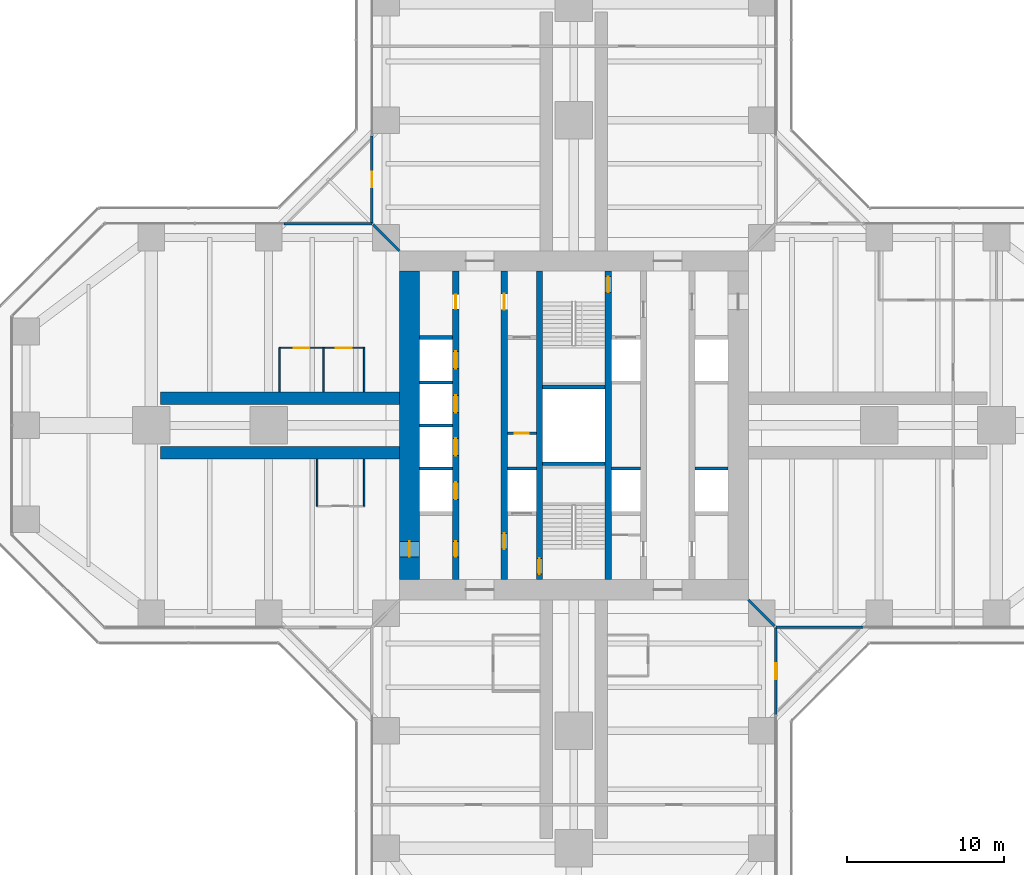
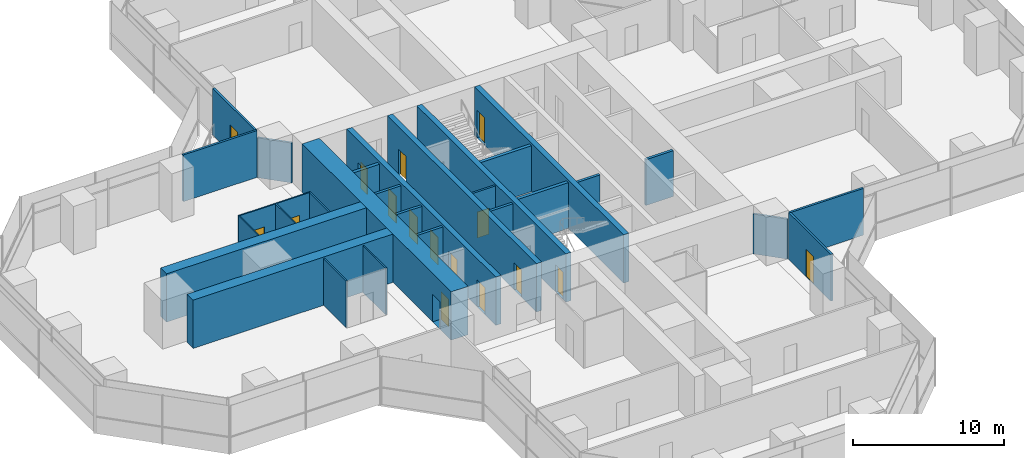
# One storey, part 18 of 22: 30 walls, 16 doors, 16 openings.
"""IFC4 building model written with IfcOpenShell, lengths in metres."""

import ifcopenshell
import ifcopenshell.guid

model = None  # the IFC model being written
_history = None  # IfcOwnerHistory: only IFC2X3 demands one
_inside = {}  # id of a spatial element -> (the spatial element, [elements in it])
_under = {}  # id of a project, library or spatial element -> (it, [spatial elements below it])
_declared = {}  # id of a project -> (the project, [libraries it declares])
_typed = {}  # id of a type object -> (the type object, [elements of that type])
_made_of = {}  # id of a material, layer set ... -> (it, [elements and type objects made of it])


def new_model(schema):
    """Start an empty IFC model of exactly this schema.

    Asked for "IFC4X3", IfcOpenShell would pick the latest addendum, in which some entities
    have other attributes; the version numbers below select the first issue.
    IFC2X3 requires an IfcOwnerHistory on every rooted entity: one is made here for all.
    """
    global model, _history
    if schema == "IFC4X3":
        model = ifcopenshell.file(schema_version=(4, 3, 0, 0))
    else:
        model = ifcopenshell.file(schema=schema)
    _inside.clear()
    _under.clear()
    _declared.clear()
    _typed.clear()
    _made_of.clear()
    _history = None
    if model.schema == "IFC2X3":
        org = make("IfcOrganization", Name="unknown")
        user = make(
            "IfcPersonAndOrganization",
            ThePerson=make("IfcPerson", FamilyName="unknown"),
            TheOrganization=org,
        )
        app = make(
            "IfcApplication",
            ApplicationDeveloper=org,
            Version="unknown",
            ApplicationFullName="unknown",
            ApplicationIdentifier="unknown",
        )
        _history = make(
            "IfcOwnerHistory",
            OwningUser=user,
            OwningApplication=app,
            ChangeAction="ADDED",
            CreationDate=0,
        )
    return model


def make(cls, **values):
    """One entity of the class cls with the attributes given. An attribute that is None is left unset."""
    return model.create_entity(
        cls, **{name: value for name, value in values.items() if value is not None}
    )


def rooted(cls, **values):
    """An entity with a GlobalId (a new one), such as an element, a storey or a relation."""
    return make(cls, GlobalId=ifcopenshell.guid.new(), OwnerHistory=_history, **values)


def si_unit(unit_type, name, prefix=None):
    """IfcSIUnit, for example si_unit("LENGTHUNIT", "METRE", prefix="MILLI")."""
    return make("IfcSIUnit", UnitType=unit_type, Prefix=prefix, Name=name)


def assignment(units):
    """IfcUnitAssignment: the units of a project."""
    return None if units is None else make("IfcUnitAssignment", Units=units)


def point(xyz):
    """IfcCartesianPoint."""
    return None if xyz is None else make("IfcCartesianPoint", Coordinates=xyz)


def direction(xyz):
    """IfcDirection."""
    return None if xyz is None else make("IfcDirection", DirectionRatios=xyz)


def frame(location, z_axis=None, x_axis=None):
    """IfcAxis2Placement3D, a coordinate frame: its origin and axes. An axis left out is left unset."""
    return make(
        "IfcAxis2Placement3D",
        Location=point(location),
        Axis=direction(z_axis),
        RefDirection=direction(x_axis),
    )


def frame_2d(location, x_axis=None):
    """IfcAxis2Placement2D, a coordinate frame in the plane: its origin and x axis."""
    return make(
        "IfcAxis2Placement2D", Location=point(location), RefDirection=direction(x_axis)
    )


def origin():
    """The frame at (0, 0, 0) with its axes left unset."""
    return frame((0.0, 0.0, 0.0))


def place(relative_to, where):
    """IfcLocalPlacement: puts the frame where relative to a parent placement (None: the world)."""
    return make(
        "IfcLocalPlacement", PlacementRelTo=relative_to, RelativePlacement=where
    )


def context(
    kind, dimensions, precision=None, world=None, true_north=None, identifier=None
):
    """IfcGeometricRepresentationContext, for example the 3D "Model" context."""
    return make(
        "IfcGeometricRepresentationContext",
        ContextIdentifier=identifier,
        ContextType=kind,
        CoordinateSpaceDimension=dimensions,
        Precision=precision,
        WorldCoordinateSystem=world,
        TrueNorth=true_north,
    )


def subcontext(parent, identifier, kind, view, scale=None):
    """IfcGeometricRepresentationSubContext, for example "Body" below "Model"."""
    return make(
        "IfcGeometricRepresentationSubContext",
        ContextIdentifier=identifier,
        ContextType=kind,
        ParentContext=parent,
        TargetScale=scale,
        TargetView=view,
    )


def project(units=None, contexts=None):
    """IfcProject with its units and contexts."""
    return rooted(
        "IfcProject",
        Name="project",
        RepresentationContexts=contexts,
        UnitsInContext=assignment(units),
    )


def spatial(cls, under=None, at=None, **own):
    """A site, building, storey or space (cls), placed at a placement, below another one or the project."""
    s = rooted(cls, ObjectPlacement=at, **own)
    if under is not None:
        _under.setdefault(under.id(), (under, []))[1].append(s)
    return s


def profile(cls, at=None, kind="AREA", **sizes):
    """A parametric profile (cls). Its sizes go by their IFC names, for example OverallWidth=200.0."""
    return make(cls, ProfileType=kind, Position=at, **sizes)


def rectangle(**sizes):
    """IfcRectangleProfileDef."""
    return profile("IfcRectangleProfileDef", **sizes)


def extrude(swept, where, along, depth):
    """IfcExtrudedAreaSolid: the profile swept, set in the frame where, extruded along a direction by depth."""
    return make(
        "IfcExtrudedAreaSolid",
        SweptArea=swept,
        Position=where,
        ExtrudedDirection=direction(along),
        Depth=depth,
    )


def shape(context_of_items, identifier, shape_type, items):
    """IfcShapeRepresentation: the items that make up one representation, for example the "Body"."""
    return make(
        "IfcShapeRepresentation",
        ContextOfItems=context_of_items,
        RepresentationIdentifier=identifier,
        RepresentationType=shape_type,
        Items=items,
    )


def material(Name=None, Category=None):
    """IfcMaterial."""
    return make("IfcMaterial", Name=Name, Category=Category)


def layer(
    of_material, thickness, ventilated=None, Name=None, Category=None, Priority=None
):
    """IfcMaterialLayer: one layer of a wall or slab, of a material (None: an air gap)."""
    return make(
        "IfcMaterialLayer",
        Material=of_material,
        LayerThickness=thickness,
        IsVentilated=ventilated,
        Name=Name,
        Category=Category,
        Priority=Priority,
    )


def layer_set(layers, Name=None):
    """IfcMaterialLayerSet."""
    return make("IfcMaterialLayerSet", MaterialLayers=layers, LayerSetName=Name)


def made_of(thing, what):
    """Note that an element or type object is made of a material, layer set ...; save() writes the relation."""
    if what is not None:
        _made_of.setdefault(what.id(), (what, []))[1].append(thing)
    return thing


def type_object(cls, material=None, **own):
    """A type object (cls), such as IfcWallType, which elements share."""
    return made_of(rooted(cls, **own), material)


def element(
    cls,
    number,
    at=None,
    inside=None,
    cuts=None,
    type_object=None,
    material=None,
    context=None,
    identifier="Body",
    shape_type=None,
    held_by="IfcProductDefinitionShape",
    body=None,
    shapes=None,
    **own,
):
    """One element of the class cls, such as IfcWall. Its Tag is "e" and its number.

    at: its placement. inside: the storey or other place that contains it. cuts: it is an
    opening in that element (IfcRelVoidsElement). A single representation is given by context,
    identifier, shape_type and body (its items); several are given by shapes. held_by: the class
    of the entity that holds the representations. save() writes the other relations.
    """
    e = rooted(cls, Tag="e%d" % number, ObjectPlacement=at, **own)
    if body is not None:
        shapes = [shape(context, identifier, shape_type, body)]
    if shapes is not None:
        e.Representation = make(held_by, Representations=shapes)
    if inside is not None:
        _inside.setdefault(inside.id(), (inside, []))[1].append(e)
    if cuts is not None:
        rooted(
            "IfcRelVoidsElement", RelatingBuildingElement=cuts, RelatedOpeningElement=e
        )
    if type_object is not None:
        _typed.setdefault(type_object.id(), (type_object, []))[1].append(e)
    return made_of(e, material)


def fill(opening, filler):
    """IfcRelFillsElement: the door or window that sits in an opening."""
    return rooted(
        "IfcRelFillsElement",
        RelatingOpeningElement=opening,
        RelatedBuildingElement=filler,
    )


def aggregate(whole, parts):
    """IfcRelAggregates: a whole, such as a stair, and the parts it consists of."""
    return rooted("IfcRelAggregates", RelatingObject=whole, RelatedObjects=parts)


def save(model, path):
    """Write the relations noted so far, then the file.

    IfcRelAggregates (storeys below a building ...), IfcRelContainedInSpatialStructure (elements
    in a storey), IfcRelDefinesByType, IfcRelAssociatesMaterial and IfcRelDeclares: one each for
    every whole, place, type object, material and project.
    """
    for whole, parts in _under.values():
        aggregate(whole, parts)
    for where, things in _inside.values():
        rooted(
            "IfcRelContainedInSpatialStructure",
            RelatedElements=things,
            RelatingStructure=where,
        )
    for kind, things in _typed.values():
        rooted("IfcRelDefinesByType", RelatedObjects=things, RelatingType=kind)
    for what, things in _made_of.values():
        rooted("IfcRelAssociatesMaterial", RelatedObjects=things, RelatingMaterial=what)
    for by, libraries in _declared.values():
        rooted("IfcRelDeclares", RelatingContext=by, RelatedDefinitions=libraries)
    model.write(path)


model = new_model("IFC4")

# Units and contexts
model_context = context("Model", 3, precision=1e-05, world=origin(), true_north=direction((0.0, 1.0)))
body_context = subcontext(model_context, "Body", "Model", "MODEL_VIEW")
ifc_project = project(units=[si_unit("LENGTHUNIT", "METRE"), si_unit("AREAUNIT", "SQUARE_METRE"), si_unit("VOLUMEUNIT", "CUBIC_METRE"), si_unit("PLANEANGLEUNIT", "RADIAN"), si_unit("MASSUNIT", "GRAM", prefix="KILO")], contexts=[model_context])

# Site, building, storey
site_placement = place(None, origin())
site = spatial("IfcSite", under=ifc_project, at=site_placement, CompositionType="ELEMENT")
building_placement = place(site_placement, origin())
building = spatial("IfcBuilding", under=site, at=building_placement, Name="Mizan Broadcast Tower", CompositionType="ELEMENT")
storey_placement = place(building_placement, frame((0.0, 0.0, 98.10009765625)))
storey = spatial("IfcBuildingStorey", under=building, at=storey_placement, Name="L21", CompositionType="ELEMENT", Elevation=98.10009765625)

# Wall, openings, doors
ifc_material_1 = material(Name="Concrete C70/85", Category="concrete")
ifc_layer_1 = layer(ifc_material_1, 0.39990234375)
ifc_layer_set_1 = layer_set([ifc_layer_1], Name="Concrete C70/85")
wall_type_1 = type_object("IfcWallType", Name="CORE INTERNAL WALL 400", PredefinedType="SHEAR", material=ifc_layer_set_1)
wall_1_placement = place(storey_placement, frame((-7.550048828125, -9.85009765625, 0.0), z_axis=(0.0, 0.0, 1.0), x_axis=(0.0, 1.0, 0.0)))
wall_1 = element("IfcWall", 1, at=wall_1_placement, inside=storey, type_object=wall_type_1, Name="Core wall CORE/XW1", PredefinedType="SHEAR", context=body_context, shape_type="SweptSolid", body=[
    extrude(rectangle(XDim=19.7001953125, YDim=0.39990234375, at=frame_2d((9.85009765625, 0.0))), origin(), (0.0, 0.0, 1.0), 3.89990234375),
])
opening_1_placement = place(wall_1_placement, frame((1.449951171875, 0.0, 0.0)))
opening_1 = element("IfcOpeningElement", 2, at=opening_1_placement, cuts=wall_1, Name="Opening D10F", PredefinedType="OPENING", context=body_context, shape_type="SweptSolid", body=[
    extrude(rectangle(XDim=1.0, YDim=2.199951171875, at=frame_2d((0.5, 1.10009765625))), frame((0.0, 0.2099609375, 0.0), z_axis=(0.0, -1.0, 0.0), x_axis=(1.0, 0.0, 0.0)), (0.0, 0.0, 1.0), 0.419921875),
])
opening_2_placement = place(wall_1_placement, frame((17.300048828125, 0.0, 0.0)))
opening_2 = element("IfcOpeningElement", 3, at=opening_2_placement, cuts=wall_1, Name="Opening D09", PredefinedType="OPENING", context=body_context, shape_type="SweptSolid", body=[
    extrude(rectangle(XDim=0.89990234375, YDim=2.10009765625, at=frame_2d((0.449951171875, 1.050048828125))), frame((0.0, 0.2099609375, 0.0), z_axis=(0.0, -1.0, 0.0), x_axis=(1.0, 0.0, 0.0)), (0.0, 0.0, 1.0), 0.419921875),
])
opening_3_placement = place(wall_1_placement, frame((5.125, 0.0, 0.0)))
opening_3 = element("IfcOpeningElement", 4, at=opening_3_placement, cuts=wall_1, Name="Opening LD", PredefinedType="OPENING", context=body_context, shape_type="SweptSolid", body=[
    extrude(rectangle(XDim=1.10009765625, YDim=2.199951171875, at=frame_2d((0.550048828125, 1.10009765625))), frame((0.0, 0.2099609375, 0.0), z_axis=(0.0, -1.0, 0.0), x_axis=(1.0, 0.0, 0.0)), (0.0, 0.0, 1.0), 0.419921875),
])
opening_4_placement = place(wall_1_placement, frame((7.925048828125, 0.0, 0.0)))
opening_4 = element("IfcOpeningElement", 5, at=opening_4_placement, cuts=wall_1, Name="Opening LD", PredefinedType="OPENING", context=body_context, shape_type="SweptSolid", body=[
    extrude(rectangle(XDim=1.10009765625, YDim=2.199951171875, at=frame_2d((0.550048828125, 1.10009765625))), frame((0.0, 0.2099609375, 0.0), z_axis=(0.0, -1.0, 0.0), x_axis=(1.0, 0.0, 0.0)), (0.0, 0.0, 1.0), 0.419921875),
])
opening_5_placement = place(wall_1_placement, frame((10.675048828125, 0.0, 0.0)))
opening_5 = element("IfcOpeningElement", 6, at=opening_5_placement, cuts=wall_1, Name="Opening LD", PredefinedType="OPENING", context=body_context, shape_type="SweptSolid", body=[
    extrude(rectangle(XDim=1.10009765625, YDim=2.199951171875, at=frame_2d((0.550048828125, 1.10009765625))), frame((0.0, 0.2099609375, 0.0), z_axis=(0.0, -1.0, 0.0), x_axis=(1.0, 0.0, 0.0)), (0.0, 0.0, 1.0), 0.419921875),
])
opening_6_placement = place(wall_1_placement, frame((13.47509765625, 0.0, 0.0)))
opening_6 = element("IfcOpeningElement", 7, at=opening_6_placement, cuts=wall_1, Name="Opening LD", PredefinedType="OPENING", context=body_context, shape_type="SweptSolid", body=[
    extrude(rectangle(XDim=1.10009765625, YDim=2.199951171875, at=frame_2d((0.550048828125, 1.10009765625))), frame((0.0, 0.2099609375, 0.0), z_axis=(0.0, -1.0, 0.0), x_axis=(1.0, 0.0, 0.0)), (0.0, 0.0, 1.0), 0.419921875),
])
ifc_material_2 = material(Name="Steel door leaf in steel frame", Category="steel")
door_type_1 = type_object("IfcDoorType", Name="FIRE DOOR 1000 FD90", OperationType="SINGLE_SWING_LEFT", PredefinedType="DOOR", material=ifc_material_2)
door_1_placement = place(opening_1_placement, origin())
door_1 = element("IfcDoor", 8, at=door_1_placement, inside=storey, type_object=door_type_1, Name="West core passage door", OperationType="SINGLE_SWING_LEFT", OverallHeight=2.199951171875, OverallWidth=1.0, PredefinedType="DOOR", context=body_context, shape_type="SweptSolid", body=[
    extrude(rectangle(XDim=1.0, YDim=2.199951171875, at=frame_2d((0.5, 1.10009765625))), frame((0.0, 0.02490234375, 0.0), z_axis=(0.0, -1.0, 0.0), x_axis=(1.0, 0.0, 0.0)), (0.0, 0.0, 1.0), 0.050048828125),
])
fill(opening_1, door_1)
ifc_material_3 = material(Name="Steel door leaf in steel frame", Category="steel")
door_type_2 = type_object("IfcDoorType", Name="LIFT LANDING DOOR 1100", OperationType="SLIDING_TO_LEFT", PredefinedType="DOOR", material=ifc_material_3)
door_2_placement = place(opening_3_placement, origin())
door_2 = element("IfcDoor", 9, at=door_2_placement, inside=storey, type_object=door_type_2, Name="Landing door LA1", OperationType="SLIDING_TO_LEFT", OverallHeight=2.199951171875, OverallWidth=1.10009765625, PredefinedType="DOOR", context=body_context, shape_type="SweptSolid", body=[
    extrude(rectangle(XDim=1.10009765625, YDim=2.199951171875, at=frame_2d((0.550048828125, 1.10009765625))), frame((0.0, 0.02490234375, 0.0), z_axis=(0.0, -1.0, 0.0), x_axis=(1.0, 0.0, 0.0)), (0.0, 0.0, 1.0), 0.050048828125),
])
fill(opening_3, door_2)
door_3_placement = place(opening_4_placement, origin())
door_3 = element("IfcDoor", 10, at=door_3_placement, inside=storey, type_object=door_type_2, Name="Landing door LA2", OperationType="SLIDING_TO_LEFT", OverallHeight=2.199951171875, OverallWidth=1.10009765625, PredefinedType="DOOR", context=body_context, shape_type="SweptSolid", body=[
    extrude(rectangle(XDim=1.10009765625, YDim=2.199951171875, at=frame_2d((0.550048828125, 1.10009765625))), frame((0.0, 0.02490234375, 0.0), z_axis=(0.0, -1.0, 0.0), x_axis=(1.0, 0.0, 0.0)), (0.0, 0.0, 1.0), 0.050048828125),
])
fill(opening_4, door_3)
door_4_placement = place(opening_5_placement, origin())
door_4 = element("IfcDoor", 11, at=door_4_placement, inside=storey, type_object=door_type_2, Name="Landing door LA3", OperationType="SLIDING_TO_LEFT", OverallHeight=2.199951171875, OverallWidth=1.10009765625, PredefinedType="DOOR", context=body_context, shape_type="SweptSolid", body=[
    extrude(rectangle(XDim=1.10009765625, YDim=2.199951171875, at=frame_2d((0.550048828125, 1.10009765625))), frame((0.0, 0.02490234375, 0.0), z_axis=(0.0, -1.0, 0.0), x_axis=(1.0, 0.0, 0.0)), (0.0, 0.0, 1.0), 0.050048828125),
])
fill(opening_5, door_4)
door_5_placement = place(opening_6_placement, origin())
door_5 = element("IfcDoor", 12, at=door_5_placement, inside=storey, type_object=door_type_2, Name="Landing door LA4", OperationType="SLIDING_TO_LEFT", OverallHeight=2.199951171875, OverallWidth=1.10009765625, PredefinedType="DOOR", context=body_context, shape_type="SweptSolid", body=[
    extrude(rectangle(XDim=1.10009765625, YDim=2.199951171875, at=frame_2d((0.550048828125, 1.10009765625))), frame((0.0, 0.02490234375, 0.0), z_axis=(0.0, -1.0, 0.0), x_axis=(1.0, 0.0, 0.0)), (0.0, 0.0, 1.0), 0.050048828125),
])
fill(opening_6, door_5)
ifc_material_4 = material(Name="Timber door leaf in aluminium frame", Category="wood")
door_type_3 = type_object("IfcDoorType", Name="TOILET DOOR 900", OperationType="SINGLE_SWING_LEFT", PredefinedType="DOOR", material=ifc_material_4)
door_6_placement = place(opening_2_placement, origin())
door_6 = element("IfcDoor", 13, at=door_6_placement, inside=storey, type_object=door_type_3, Name="Male WC door", OperationType="SINGLE_SWING_RIGHT", OverallHeight=2.10009765625, OverallWidth=0.89990234375, PredefinedType="DOOR", context=body_context, shape_type="SweptSolid", body=[
    extrude(rectangle(XDim=0.89990234375, YDim=2.10009765625, at=frame_2d((0.449951171875, 1.050048828125))), frame((0.0, 0.02490234375, 0.0), z_axis=(0.0, -1.0, 0.0), x_axis=(1.0, 0.0, 0.0)), (0.0, 0.0, 1.0), 0.050048828125),
])
fill(opening_2, door_6)

wall_2_placement = place(storey_placement, frame((-4.449951171875, -9.85009765625, 0.0), z_axis=(0.0, 0.0, 1.0), x_axis=(0.0, 1.0, 0.0)))
wall_2 = element("IfcWall", 14, at=wall_2_placement, inside=storey, type_object=wall_type_1, Name="Core wall CORE/XWH", PredefinedType="SHEAR", context=body_context, shape_type="SweptSolid", body=[
    extrude(rectangle(XDim=19.7001953125, YDim=0.39990234375, at=frame_2d((9.85009765625, 0.0))), origin(), (0.0, 0.0, 1.0), 3.89990234375),
])
opening_7_placement = place(wall_2_placement, frame((1.949951171875, 0.0, 0.0)))
opening_7 = element("IfcOpeningElement", 15, at=opening_7_placement, cuts=wall_2, Name="Opening D10F", PredefinedType="OPENING", context=body_context, shape_type="SweptSolid", body=[
    extrude(rectangle(XDim=1.0, YDim=2.199951171875, at=frame_2d((0.5, 1.10009765625))), frame((0.0, 0.2099609375, 0.0), z_axis=(0.0, -1.0, 0.0), x_axis=(1.0, 0.0, 0.0)), (0.0, 0.0, 1.0), 0.419921875),
])
opening_8_placement = place(wall_2_placement, frame((17.25, 0.0, 0.0)))
opening_8 = element("IfcOpeningElement", 16, at=opening_8_placement, cuts=wall_2, Name="Opening D10A", PredefinedType="OPENING", context=body_context, shape_type="SweptSolid", body=[
    extrude(rectangle(XDim=1.0, YDim=2.10009765625, at=frame_2d((0.5, 1.050048828125))), frame((0.0, 0.2099609375, 0.0), z_axis=(0.0, -1.0, 0.0), x_axis=(1.0, 0.0, 0.0)), (0.0, 0.0, 1.0), 0.419921875),
])
ifc_material_5 = material(Name="Timber door leaf in aluminium frame", Category="wood")
door_type_4 = type_object("IfcDoorType", Name="ACCESSIBLE WC DOOR 1000", OperationType="SLIDING_TO_LEFT", PredefinedType="DOOR", material=ifc_material_5)
door_7_placement = place(opening_8_placement, origin())
door_7 = element("IfcDoor", 17, at=door_7_placement, inside=storey, type_object=door_type_4, Name="Accessible WC door", OperationType="SLIDING_TO_LEFT", OverallHeight=2.10009765625, OverallWidth=1.0, PredefinedType="DOOR", context=body_context, shape_type="SweptSolid", body=[
    extrude(rectangle(XDim=1.0, YDim=2.10009765625, at=frame_2d((0.5, 1.050048828125))), frame((0.0, 0.02490234375, 0.0), z_axis=(0.0, -1.0, 0.0), x_axis=(1.0, 0.0, 0.0)), (0.0, 0.0, 1.0), 0.050048828125),
])
fill(opening_8, door_7)
door_8_placement = place(opening_7_placement, origin())
door_8 = element("IfcDoor", 18, at=door_8_placement, inside=storey, type_object=door_type_1, Name="Firefighting lobby A door", OperationType="SINGLE_SWING_LEFT", OverallHeight=2.199951171875, OverallWidth=1.0, PredefinedType="DOOR", context=body_context, shape_type="SweptSolid", body=[
    extrude(rectangle(XDim=1.0, YDim=2.199951171875, at=frame_2d((0.5, 1.10009765625))), frame((0.0, 0.02490234375, 0.0), z_axis=(0.0, -1.0, 0.0), x_axis=(1.0, 0.0, 0.0)), (0.0, 0.0, 1.0), 0.050048828125),
])
fill(opening_7, door_8)

# Wall, opening, door
wall_3_placement = place(storey_placement, frame((-2.199951171875, -9.85009765625, 0.0), z_axis=(0.0, 0.0, 1.0), x_axis=(0.0, 1.0, 0.0)))
wall_3 = element("IfcWall", 19, at=wall_3_placement, inside=storey, type_object=wall_type_1, Name="Core wall CORE/XW2", PredefinedType="SHEAR", context=body_context, shape_type="SweptSolid", body=[
    extrude(rectangle(XDim=19.7001953125, YDim=0.39990234375, at=frame_2d((9.85009765625, 0.0))), origin(), (0.0, 0.0, 1.0), 3.89990234375),
])
opening_9_placement = place(wall_3_placement, frame((0.35009765625, 0.0, 0.0)))
opening_9 = element("IfcOpeningElement", 20, at=opening_9_placement, cuts=wall_3, Name="Opening D10S", PredefinedType="OPENING", context=body_context, shape_type="SweptSolid", body=[
    extrude(rectangle(XDim=1.0, YDim=2.199951171875, at=frame_2d((0.5, 1.10009765625))), frame((0.0, 0.2099609375, 0.0), z_axis=(0.0, -1.0, 0.0), x_axis=(1.0, 0.0, 0.0)), (0.0, 0.0, 1.0), 0.419921875),
])
ifc_material_6 = material(Name="Steel door leaf in steel frame", Category="steel")
door_type_5 = type_object("IfcDoorType", Name="STAIR DOOR 1000 FD90S", OperationType="SINGLE_SWING_RIGHT", PredefinedType="DOOR", material=ifc_material_6)
door_9_placement = place(opening_9_placement, origin())
door_9 = element("IfcDoor", 21, at=door_9_placement, inside=storey, type_object=door_type_5, Name="Stair A door", OperationType="SINGLE_SWING_RIGHT", OverallHeight=2.199951171875, OverallWidth=1.0, PredefinedType="DOOR", context=body_context, shape_type="SweptSolid", body=[
    extrude(rectangle(XDim=1.0, YDim=2.199951171875, at=frame_2d((0.5, 1.10009765625))), frame((0.0, 0.02490234375, 0.0), z_axis=(0.0, -1.0, 0.0), x_axis=(1.0, 0.0, 0.0)), (0.0, 0.0, 1.0), 0.050048828125),
])
fill(opening_9, door_9)

wall_4_placement = place(storey_placement, frame((2.199951171875, 9.85009765625, 0.0), z_axis=(0.0, 0.0, 1.0), x_axis=(0.0, -1.0, 0.0)))
wall_4 = element("IfcWall", 22, at=wall_4_placement, inside=storey, type_object=wall_type_1, Name="Core wall CORE/XW2E", PredefinedType="SHEAR", context=body_context, shape_type="SweptSolid", body=[
    extrude(rectangle(XDim=19.7001953125, YDim=0.39990234375, at=frame_2d((9.85009765625, 0.0))), origin(), (0.0, 0.0, 1.0), 3.89990234375),
])
opening_10_placement = place(wall_4_placement, frame((0.35009765625, 0.0, 0.0)))
opening_10 = element("IfcOpeningElement", 23, at=opening_10_placement, cuts=wall_4, Name="Opening D10S", PredefinedType="OPENING", context=body_context, shape_type="SweptSolid", body=[
    extrude(rectangle(XDim=1.0, YDim=2.199951171875, at=frame_2d((0.5, 1.10009765625))), frame((0.0, 0.2099609375, 0.0), z_axis=(0.0, -1.0, 0.0), x_axis=(1.0, 0.0, 0.0)), (0.0, 0.0, 1.0), 0.419921875),
])
door_10_placement = place(opening_10_placement, origin())
door_10 = element("IfcDoor", 24, at=door_10_placement, inside=storey, type_object=door_type_5, Name="Stair B door", OperationType="SINGLE_SWING_RIGHT", OverallHeight=2.199951171875, OverallWidth=1.0, PredefinedType="DOOR", context=body_context, shape_type="SweptSolid", body=[
    extrude(rectangle(XDim=1.0, YDim=2.199951171875, at=frame_2d((0.5, 1.10009765625))), frame((0.0, 0.02490234375, 0.0), z_axis=(0.0, -1.0, 0.0), x_axis=(1.0, 0.0, 0.0)), (0.0, 0.0, 1.0), 0.050048828125),
])
fill(opening_10, door_10)

ifc_material_7 = material(Name="Concrete blockwork", Category="masonry")
ifc_layer_2 = layer(ifc_material_7, 0.14990234375)
ifc_layer_set_2 = layer_set([ifc_layer_2], Name="Concrete blockwork")
wall_type_2 = type_object("IfcWallType", Name="CORE PARTITION 150", PredefinedType="SOLIDWALL", material=ifc_layer_set_2)
wall_5_placement = place(storey_placement, frame((-4.25, -0.5, 0.0), z_axis=(0.0, 0.0, 1.0), x_axis=(1.0, 0.0, 0.0)))
wall_5 = element("IfcWall", 25, at=wall_5_placement, inside=storey, type_object=wall_type_2, Name="Core partition CORE/XP2", PredefinedType="SOLIDWALL", context=body_context, shape_type="SweptSolid", body=[
    extrude(rectangle(XDim=1.85009765625, YDim=0.14990234375, at=frame_2d((0.925048828125, 0.0))), origin(), (0.0, 0.0, 1.0), 3.77001953125),
])
opening_11_placement = place(wall_5_placement, frame((0.47509765625, 0.0, 0.0)))
opening_11 = element("IfcOpeningElement", 26, at=opening_11_placement, cuts=wall_5, Name="Opening D09F", PredefinedType="OPENING", context=body_context, shape_type="SweptSolid", body=[
    extrude(rectangle(XDim=0.89990234375, YDim=2.10009765625, at=frame_2d((0.449951171875, 1.050048828125))), frame((0.0, 0.0849609375, 0.0), z_axis=(0.0, -1.0, 0.0), x_axis=(1.0, 0.0, 0.0)), (0.0, 0.0, 1.0), 0.169921875),
])
ifc_material_8 = material(Name="Steel door leaf in steel frame", Category="steel")
door_type_6 = type_object("IfcDoorType", Name="CORE ROOM DOOR 900 FD90", OperationType="SINGLE_SWING_LEFT", PredefinedType="DOOR", material=ifc_material_8)
door_11_placement = place(opening_11_placement, origin())
door_11 = element("IfcDoor", 27, at=door_11_placement, inside=storey, type_object=door_type_6, Name="Staff shower room door", OperationType="SINGLE_SWING_RIGHT", OverallHeight=2.10009765625, OverallWidth=0.89990234375, PredefinedType="DOOR", context=body_context, shape_type="SweptSolid", body=[
    extrude(rectangle(XDim=0.89990234375, YDim=2.10009765625, at=frame_2d((0.449951171875, 1.050048828125))), frame((0.0, 0.02490234375, 0.0), z_axis=(0.0, -1.0, 0.0), x_axis=(1.0, 0.0, 0.0)), (0.0, 0.0, 1.0), 0.050048828125),
])
fill(opening_11, door_11)

ifc_material_9 = material(Name="Concrete C70/85", Category="concrete")
ifc_layer_3 = layer(ifc_material_9, 1.300048828125)
ifc_layer_set_3 = layer_set([ifc_layer_3], Name="Concrete C70/85")
wall_type_3 = type_object("IfcWallType", Name="CORE WALL 1300", PredefinedType="SHEAR", material=ifc_layer_set_3)
wall_6_placement = place(storey_placement, frame((-10.5, 9.85009765625, 0.0), z_axis=(0.0, 0.0, 1.0), x_axis=(0.0, -1.0, 0.0)))
wall_6 = element("IfcWall", 28, at=wall_6_placement, inside=storey, type_object=wall_type_3, Name="Core wall W L21", PredefinedType="SHEAR", context=body_context, shape_type="SweptSolid", body=[
    extrude(rectangle(XDim=19.7001953125, YDim=1.300048828125, at=frame_2d((9.85009765625, 0.0))), origin(), (0.0, 0.0, 1.0), 3.89990234375),
])
opening_12_placement = place(wall_6_placement, frame((17.25, 0.0, 0.0)))
opening_12 = element("IfcOpeningElement", 29, at=opening_12_placement, cuts=wall_6, Name="Opening D10F", PredefinedType="OPENING", context=body_context, shape_type="SweptSolid", body=[
    extrude(rectangle(XDim=1.0, YDim=2.199951171875, at=frame_2d((0.5, 1.10009765625))), frame((0.0, 0.659912109375, 0.0), z_axis=(0.0, -1.0, 0.0), x_axis=(1.0, 0.0, 0.0)), (0.0, 0.0, 1.0), 1.320068359375),
])
door_12_placement = place(opening_12_placement, origin())
door_12 = element("IfcDoor", 30, at=door_12_placement, inside=storey, type_object=door_type_1, Name="West core passage arm door", OperationType="SINGLE_SWING_RIGHT", OverallHeight=2.199951171875, OverallWidth=1.0, PredefinedType="DOOR", context=body_context, shape_type="SweptSolid", body=[
    extrude(rectangle(XDim=1.0, YDim=2.199951171875, at=frame_2d((0.5, 1.10009765625))), frame((0.0, 0.02490234375, 0.0), z_axis=(0.0, -1.0, 0.0), x_axis=(1.0, 0.0, 0.0)), (0.0, 0.0, 1.0), 0.050048828125),
])
fill(opening_12, door_12)

# Wall
ifc_material_10 = material(Name="Aluminium framed glazed screen", Category="aluminium")
ifc_layer_4 = layer(ifc_material_10, 0.159912109375)
ifc_layer_set_4 = layer_set([ifc_layer_4], Name="Aluminium framed glazed screen")
wall_type_4 = type_object("IfcWallType", Name="GLAZED SCREEN WALL 160", PredefinedType="SOLIDWALL", material=ifc_layer_set_4)
wall_7_placement = place(storey_placement, frame((12.89990234375, -12.89990234375, 0.0), z_axis=(0.0, 0.0, 1.0), x_axis=(1.0, 0.0, 0.0)))
element("IfcWall", 31, at=wall_7_placement, inside=storey, type_object=wall_type_4, Name="Winter garden screen L21 E", PredefinedType="SOLIDWALL", context=body_context, shape_type="SweptSolid", body=[
    extrude(rectangle(XDim=5.60009765625, YDim=0.159912109375, at=frame_2d((2.800048828125, 0.0))), origin(), (0.0, 0.0, 1.0), 3.77001953125),
])

# Wall, opening, door
wall_8_placement = place(storey_placement, frame((-12.89990234375, 18.5, 0.0), z_axis=(0.0, 0.0, 1.0), x_axis=(0.0, -1.0, 0.0)))
wall_8 = element("IfcWall", 32, at=wall_8_placement, inside=storey, type_object=wall_type_4, Name="Winter garden screen L21 N", PredefinedType="SOLIDWALL", context=body_context, shape_type="SweptSolid", body=[
    extrude(rectangle(XDim=5.60009765625, YDim=0.159912109375, at=frame_2d((2.800048828125, 0.0))), origin(), (0.0, 0.0, 1.0), 3.77001953125),
])
opening_13_placement = place(wall_8_placement, frame((2.300048828125, 0.0, 0.0)))
opening_13 = element("IfcOpeningElement", 33, at=opening_13_placement, cuts=wall_8, Name="Opening WGD", PredefinedType="OPENING", context=body_context, shape_type="SweptSolid", body=[
    extrude(rectangle(XDim=1.0, YDim=2.199951171875, at=frame_2d((0.5, 1.10009765625))), frame((0.0, 0.08984375, 0.0), z_axis=(0.0, -1.0, 0.0), x_axis=(1.0, 0.0, 0.0)), (0.0, 0.0, 1.0), 0.179931640625),
])
ifc_material_11 = material(Name="Aluminium framed glazed door", Category="aluminium")
door_type_7 = type_object("IfcDoorType", Name="WINTER GARDEN DOOR 1000 GLAZED", OperationType="SINGLE_SWING_LEFT", PredefinedType="DOOR", material=ifc_material_11)
door_13_placement = place(opening_13_placement, origin())
door_13 = element("IfcDoor", 34, at=door_13_placement, inside=storey, type_object=door_type_7, Name="Winter garden door L21 N", OperationType="SINGLE_SWING_RIGHT", OverallHeight=2.199951171875, OverallWidth=1.0, PredefinedType="DOOR", context=body_context, shape_type="SweptSolid", body=[
    extrude(rectangle(XDim=1.0, YDim=2.199951171875, at=frame_2d((0.5, 1.10009765625))), frame((0.0, 0.02490234375, 0.0), z_axis=(0.0, -1.0, 0.0), x_axis=(1.0, 0.0, 0.0)), (0.0, 0.0, 1.0), 0.050048828125),
])
fill(opening_13, door_13)

# Wall
wall_9_placement = place(storey_placement, frame((-12.89990234375, 12.89990234375, 0.0), z_axis=(0.0, 0.0, 1.0), x_axis=(-1.0, 0.0, 0.0)))
element("IfcWall", 35, at=wall_9_placement, inside=storey, type_object=wall_type_4, Name="Winter garden screen L21 W", PredefinedType="SOLIDWALL", context=body_context, shape_type="SweptSolid", body=[
    extrude(rectangle(XDim=5.60009765625, YDim=0.159912109375, at=frame_2d((2.800048828125, 0.0))), origin(), (0.0, 0.0, 1.0), 3.77001953125),
])

# Wall, opening, door
wall_10_placement = place(storey_placement, frame((12.89990234375, -18.5, 0.0), z_axis=(0.0, 0.0, 1.0), x_axis=(0.0, 1.0, 0.0)))
wall_10 = element("IfcWall", 36, at=wall_10_placement, inside=storey, type_object=wall_type_4, Name="Winter garden screen L21 S", PredefinedType="SOLIDWALL", context=body_context, shape_type="SweptSolid", body=[
    extrude(rectangle(XDim=5.60009765625, YDim=0.159912109375, at=frame_2d((2.800048828125, 0.0))), origin(), (0.0, 0.0, 1.0), 3.77001953125),
])
opening_14_placement = place(wall_10_placement, frame((2.300048828125, 0.0, 0.0)))
opening_14 = element("IfcOpeningElement", 37, at=opening_14_placement, cuts=wall_10, Name="Opening WGD", PredefinedType="OPENING", context=body_context, shape_type="SweptSolid", body=[
    extrude(rectangle(XDim=1.0, YDim=2.199951171875, at=frame_2d((0.5, 1.10009765625))), frame((0.0, 0.08984375, 0.0), z_axis=(0.0, -1.0, 0.0), x_axis=(1.0, 0.0, 0.0)), (0.0, 0.0, 1.0), 0.179931640625),
])
door_14_placement = place(opening_14_placement, origin())
door_14 = element("IfcDoor", 38, at=door_14_placement, inside=storey, type_object=door_type_7, Name="Winter garden door L21 S", OperationType="SINGLE_SWING_RIGHT", OverallHeight=2.199951171875, OverallWidth=1.0, PredefinedType="DOOR", context=body_context, shape_type="SweptSolid", body=[
    extrude(rectangle(XDim=1.0, YDim=2.199951171875, at=frame_2d((0.5, 1.10009765625))), frame((0.0, 0.02490234375, 0.0), z_axis=(0.0, -1.0, 0.0), x_axis=(1.0, 0.0, 0.0)), (0.0, 0.0, 1.0), 0.050048828125),
])
fill(opening_14, door_14)

# Walls
ifc_material_12 = material(Name="Concrete blockwork", Category="masonry")
ifc_layer_5 = layer(ifc_material_12, 0.199951171875)
ifc_layer_set_5 = layer_set([ifc_layer_5], Name="Concrete blockwork")
wall_type_5 = type_object("IfcWallType", Name="LIFT SHAFT WALL 200", PredefinedType="SOLIDWALL", material=ifc_layer_set_5)
wall_11_placement = place(storey_placement, frame((-9.85009765625, -2.75, 0.0), z_axis=(0.0, 0.0, 1.0), x_axis=(1.0, 0.0, 0.0)))
element("IfcWall", 39, at=wall_11_placement, inside=storey, type_object=wall_type_5, Name="Lift shaft wall CORE/SW1-1", PredefinedType="SOLIDWALL", context=body_context, shape_type="SweptSolid", body=[
    extrude(rectangle(XDim=2.10009765625, YDim=0.199951171875, at=frame_2d((1.050048828125, 0.0))), origin(), (0.0, 0.0, 1.0), 3.699951171875),
])
for number, where, z_axis, x_axis, name in (
    (40, (-4.25, -2.75, 0.0), (0.0, 0.0, 1.0), (1.0, 0.0, 0.0), "Lift shaft wall CORE/SW2-1"),
    (41, (2.39990234375, -2.75, 0.0), (0.0, 0.0, 1.0), (1.0, 0.0, 0.0), "Lift shaft wall CORE/SE2-1"),
):
    element("IfcWall", number, at=place(storey_placement, frame(where, z_axis=z_axis, x_axis=x_axis)), inside=storey, type_object=wall_type_5, Name=name, PredefinedType="SOLIDWALL", context=body_context, shape_type="SweptSolid", body=[
        extrude(rectangle(XDim=1.85009765625, YDim=0.199951171875, at=frame_2d((0.925048828125, 0.0))), origin(), (0.0, 0.0, 1.0), 3.699951171875),
    ])
for number, where, z_axis, x_axis, name in (
    (42, (7.75, -2.75, 0.0), (0.0, 0.0, 1.0), (1.0, 0.0, 0.0), "Lift shaft wall CORE/SE1-1"),
    (43, (-9.85009765625, 0.0, 0.0), (0.0, 0.0, 1.0), (1.0, 0.0, 0.0), "Lift shaft wall CORE/SW1-2"),
    (44, (-9.85009765625, 2.75, 0.0), (0.0, 0.0, 1.0), (1.0, 0.0, 0.0), "Lift shaft wall CORE/SW1-3"),
):
    element("IfcWall", number, at=place(storey_placement, frame(where, z_axis=z_axis, x_axis=x_axis)), inside=storey, type_object=wall_type_5, Name=name, PredefinedType="SOLIDWALL", context=body_context, shape_type="SweptSolid", body=[
        extrude(rectangle(XDim=2.10009765625, YDim=0.199951171875, at=frame_2d((1.050048828125, 0.0))), origin(), (0.0, 0.0, 1.0), 3.699951171875),
    ])
ifc_material_13 = material(Name="Concrete blockwork", Category="masonry")
ifc_layer_6 = layer(ifc_material_13, 0.25)
ifc_layer_set_6 = layer_set([ifc_layer_6], Name="Concrete blockwork")
wall_type_6 = type_object("IfcWallType", Name="LOBBY ENCLOSURE WALL 250", PredefinedType="SOLIDWALL", material=ifc_layer_set_6)
wall_12_placement = place(storey_placement, frame((-9.85009765625, 5.625, 0.0), z_axis=(0.0, 0.0, 1.0), x_axis=(1.0, 0.0, 0.0)))
element("IfcWall", 45, at=wall_12_placement, inside=storey, type_object=wall_type_6, Name="Lobby enclosure wall CORE/BW1N", PredefinedType="SOLIDWALL", context=body_context, shape_type="SweptSolid", body=[
    extrude(rectangle(XDim=2.10009765625, YDim=0.25, at=frame_2d((1.050048828125, 0.0))), origin(), (0.0, 0.0, 1.0), 3.699951171875),
])
for number, where, z_axis, x_axis, name in (
    (46, (-2.0, -2.449951171875, 0.0), (0.0, 0.0, 1.0), (1.0, 0.0, 0.0), "Lobby enclosure wall CORE/STA"),
    (47, (-2.0, 2.449951171875, 0.0), (0.0, 0.0, 1.0), (1.0, 0.0, 0.0), "Lobby enclosure wall CORE/STB"),
):
    element("IfcWall", number, at=place(storey_placement, frame(where, z_axis=z_axis, x_axis=x_axis)), inside=storey, type_object=wall_type_6, Name=name, PredefinedType="SOLIDWALL", context=body_context, shape_type="SweptSolid", body=[
        extrude(rectangle(XDim=4.0, YDim=0.25, at=frame_2d((2.0, 0.0))), origin(), (0.0, 0.0, 1.0), 3.699951171875),
    ])
ifc_material_14 = material(Name="Gypsum board on steel studs", Category="steel")
ifc_layer_7 = layer(ifc_material_14, 0.14990234375)
ifc_layer_set_7 = layer_set([ifc_layer_7], Name="Gypsum board on steel studs")
wall_type_7 = type_object("IfcWallType", Name="PARTITION 150", PredefinedType="PARTITIONING", material=ifc_layer_set_7)
for number, where, z_axis, x_axis, name in (
    (48, (-11.14990234375, 11.14990234375, 0.0), (0.0, 0.0, 1.0), (-0.707106781187, 0.707106781187, 0.0), "Partition PT/DGWN"),
    (49, (11.14990234375, -11.14990234375, 0.0), (0.0, 0.0, 1.0), (0.707106781187, -0.707106781187, 0.0), "Partition PT/DGES"),
):
    element("IfcWall", number, at=place(storey_placement, frame(where, z_axis=z_axis, x_axis=x_axis)), inside=storey, type_object=wall_type_7, Name=name, PredefinedType="PARTITIONING", context=body_context, shape_type="SweptSolid", body=[
        extrude(rectangle(XDim=2.362060546875, YDim=0.14990234375, at=frame_2d((1.18115234375, 0.0))), origin(), (0.0, 0.0, 1.0), 3.219970703125),
    ])
ifc_material_15 = material(Name="Glazed aluminium partition on aluminium track", Category="aluminium")
ifc_layer_8 = layer(ifc_material_15, 0.10009765625)
ifc_layer_set_8 = layer_set([ifc_layer_8], Name="Glazed aluminium partition on aluminium track")
wall_type_8 = type_object("IfcWallType", Name="PARTITION GLAZED OFFICE FRONT 100", PredefinedType="PARTITIONING", material=ifc_layer_set_8)
for number, where, z_axis, x_axis, name in (
    (50, (-13.39990234375, -2.14990234375, 0.0), (0.0, 0.0, 1.0), (0.0, -1.0, 0.0), "Glazed office front PT/WKP0a"),
    (51, (-16.39990234375, -2.14990234375, 0.0), (0.0, 0.0, 1.0), (0.0, -1.0, 0.0), "Glazed office front PT/WKP0b"),
):
    element("IfcWall", number, at=place(storey_placement, frame(where, z_axis=z_axis, x_axis=x_axis)), inside=storey, type_object=wall_type_8, Name=name, PredefinedType="PARTITIONING", context=body_context, shape_type="SweptSolid", body=[
        extrude(rectangle(XDim=3.0, YDim=0.10009765625, at=frame_2d((1.5, 0.0))), origin(), (0.0, 0.0, 1.0), 3.77001953125),
    ])
for number, where, z_axis, x_axis, name in (
    (52, (-13.39990234375, 2.14990234375, 0.0), (0.0, 0.0, 1.0), (0.0, 1.0, 0.0), "Glazed office front PT/WKN0a"),
    (53, (-16.0, 2.14990234375, 0.0), (0.0, 0.0, 1.0), (0.0, 1.0, 0.0), "Glazed office front PT/WKN0b"),
):
    element("IfcWall", number, at=place(storey_placement, frame(where, z_axis=z_axis, x_axis=x_axis)), inside=storey, type_object=wall_type_8, Name=name, PredefinedType="PARTITIONING", context=body_context, shape_type="SweptSolid", body=[
        extrude(rectangle(XDim=2.800048828125, YDim=0.10009765625, at=frame_2d((1.39990234375, 0.0))), origin(), (0.0, 0.0, 1.0), 3.77001953125),
    ])

# Wall, opening, door
wall_13_placement = place(storey_placement, frame((-13.35009765625, 4.949951171875, 0.0), z_axis=(0.0, 0.0, 1.0), x_axis=(-1.0, 0.0, 0.0)))
wall_13 = element("IfcWall", 54, at=wall_13_placement, inside=storey, type_object=wall_type_8, Name="Glazed office front PT/WKN0f", PredefinedType="PARTITIONING", context=body_context, shape_type="SweptSolid", body=[
    extrude(rectangle(XDim=2.699951171875, YDim=0.10009765625, at=frame_2d((1.35009765625, 0.0))), origin(), (0.0, 0.0, 1.0), 3.77001953125),
])
opening_15_placement = place(wall_13_placement, frame((0.85009765625, 0.0, 0.0)))
opening_15 = element("IfcOpeningElement", 55, at=opening_15_placement, cuts=wall_13, Name="Opening D10O", PredefinedType="OPENING", context=body_context, shape_type="SweptSolid", body=[
    extrude(rectangle(XDim=1.0, YDim=2.199951171875, at=frame_2d((0.5, 1.10009765625))), frame((0.0, 0.06005859375, 0.0), z_axis=(0.0, -1.0, 0.0), x_axis=(1.0, 0.0, 0.0)), (0.0, 0.0, 1.0), 0.1201171875),
])
ifc_material_16 = material(Name="Timber door leaf in aluminium frame", Category="wood")
door_type_8 = type_object("IfcDoorType", Name="OFFICE DOOR 1000 GLAZED", OperationType="SINGLE_SWING_LEFT", PredefinedType="DOOR", material=ifc_material_16)
door_15_placement = place(opening_15_placement, origin())
door_15 = element("IfcDoor", 56, at=door_15_placement, inside=storey, type_object=door_type_8, Name="Quiet room door", OperationType="SINGLE_SWING_LEFT", OverallHeight=2.199951171875, OverallWidth=1.0, PredefinedType="DOOR", context=body_context, shape_type="SweptSolid", body=[
    extrude(rectangle(XDim=1.0, YDim=2.199951171875, at=frame_2d((0.5, 1.10009765625))), frame((0.0, 0.02490234375, 0.0), z_axis=(0.0, -1.0, 0.0), x_axis=(1.0, 0.0, 0.0)), (0.0, 0.0, 1.0), 0.050048828125),
])
fill(opening_15, door_15)

# Wall
wall_14_placement = place(storey_placement, frame((-18.800048828125, 2.14990234375, 0.0), z_axis=(0.0, 0.0, 1.0), x_axis=(0.0, 1.0, 0.0)))
element("IfcWall", 57, at=wall_14_placement, inside=storey, type_object=wall_type_8, Name="Glazed office front PT/WKN1b", PredefinedType="PARTITIONING", context=body_context, shape_type="SweptSolid", body=[
    extrude(rectangle(XDim=2.800048828125, YDim=0.10009765625, at=frame_2d((1.39990234375, 0.0))), origin(), (0.0, 0.0, 1.0), 3.77001953125),
])

# Wall, opening, door
wall_15_placement = place(storey_placement, frame((-16.050048828125, 4.949951171875, 0.0), z_axis=(0.0, 0.0, 1.0), x_axis=(-1.0, 0.0, 0.0)))
wall_15 = element("IfcWall", 58, at=wall_15_placement, inside=storey, type_object=wall_type_8, Name="Glazed office front PT/WKN1f", PredefinedType="PARTITIONING", context=body_context, shape_type="SweptSolid", body=[
    extrude(rectangle(XDim=2.800048828125, YDim=0.10009765625, at=frame_2d((1.39990234375, 0.0))), origin(), (0.0, 0.0, 1.0), 3.77001953125),
])
opening_16_placement = place(wall_15_placement, frame((0.85009765625, 0.0, 0.0)))
opening_16 = element("IfcOpeningElement", 59, at=opening_16_placement, cuts=wall_15, Name="Opening D10O", PredefinedType="OPENING", context=body_context, shape_type="SweptSolid", body=[
    extrude(rectangle(XDim=1.0, YDim=2.199951171875, at=frame_2d((0.5, 1.10009765625))), frame((0.0, 0.06005859375, 0.0), z_axis=(0.0, -1.0, 0.0), x_axis=(1.0, 0.0, 0.0)), (0.0, 0.0, 1.0), 0.1201171875),
])
door_16_placement = place(opening_16_placement, origin())
door_16 = element("IfcDoor", 60, at=door_16_placement, inside=storey, type_object=door_type_8, Name="Quiet room door", OperationType="SINGLE_SWING_LEFT", OverallHeight=2.199951171875, OverallWidth=1.0, PredefinedType="DOOR", context=body_context, shape_type="SweptSolid", body=[
    extrude(rectangle(XDim=1.0, YDim=2.199951171875, at=frame_2d((0.5, 1.10009765625))), frame((0.0, 0.02490234375, 0.0), z_axis=(0.0, -1.0, 0.0), x_axis=(1.0, 0.0, 0.0)), (0.0, 0.0, 1.0), 0.050048828125),
])
fill(opening_16, door_16)

# Walls
ifc_material_17 = material(Name="Concrete C70/85", Category="concrete")
ifc_layer_9 = layer(ifc_material_17, 0.800048828125)
ifc_layer_set_9 = layer_set([ifc_layer_9], Name="Concrete C70/85")
wall_type_9 = type_object("IfcWallType", Name="SPINE WALL 800", PredefinedType="SHEAR", material=ifc_layer_set_9)
for number, where, z_axis, x_axis, name in (
    (61, (-11.14990234375, 1.75, 0.0), (0.0, 0.0, 1.0), (-1.0, 0.0, 0.0), "Spine wall WR L21"),
    (62, (-11.14990234375, -1.75, 0.0), (0.0, 0.0, 1.0), (-1.0, 0.0, 0.0), "Spine wall WL L21"),
):
    element("IfcWall", number, at=place(storey_placement, frame(where, z_axis=z_axis, x_axis=x_axis)), inside=storey, type_object=wall_type_9, Name=name, PredefinedType="SHEAR", context=body_context, shape_type="SweptSolid", body=[
        extrude(rectangle(XDim=15.25, YDim=0.800048828125, at=frame_2d((7.625, 0.0))), origin(), (0.0, 0.0, 1.0), 3.89990234375),
    ])

save(model, "model.ifc")
